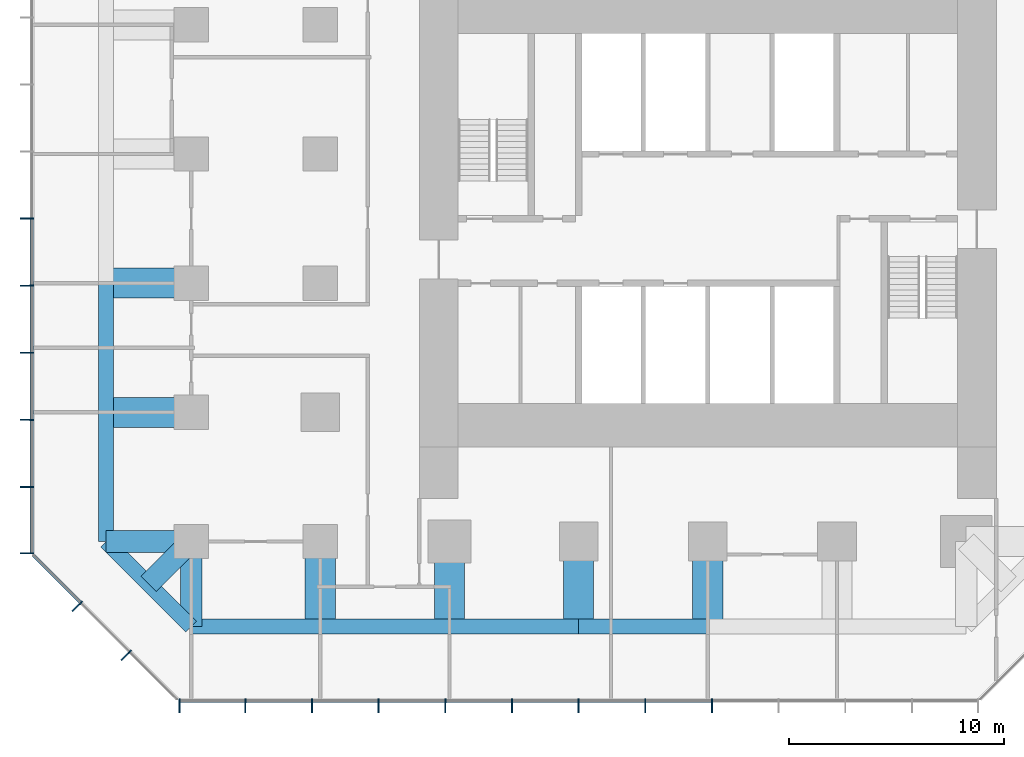
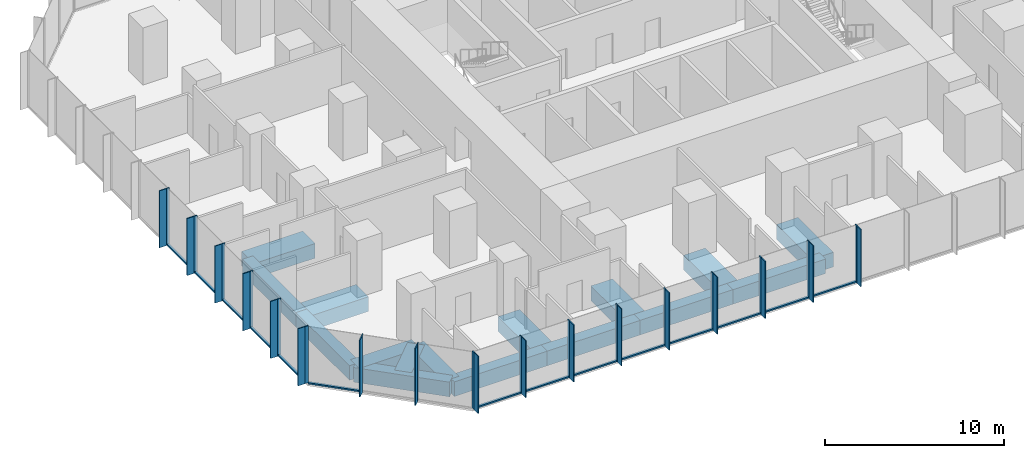
# One storey, part 2 of 11: 48 members, 16 beams, 3 elements without a shape of their own.
"""IFC4 building model written with IfcOpenShell, lengths in metres."""

from ifc_helpers import new_model, si_unit, direction, frame, origin, origin_2d, place, context, subcontext, project, spatial, rectangle, extrude, material, layer, layer_set, material_profile, profile_set, type_object, element, aggregate, save


model = new_model("IFC4")

# Units and contexts
model_context = context("Model", 3, precision=1e-05, world=origin(), true_north=direction((0.0, 1.0)))
body_context = subcontext(model_context, "Body", "Model", "MODEL_VIEW")
ifc_project = project(units=[si_unit("LENGTHUNIT", "METRE"), si_unit("AREAUNIT", "SQUARE_METRE"), si_unit("VOLUMEUNIT", "CUBIC_METRE"), si_unit("PLANEANGLEUNIT", "RADIAN"), si_unit("MASSUNIT", "GRAM", prefix="KILO")], contexts=[model_context])

# Site, building, storey
site_placement = place(None, origin())
site = spatial("IfcSite", under=ifc_project, at=site_placement, CompositionType="ELEMENT")
building_placement = place(site_placement, origin())
building = spatial("IfcBuilding", under=site, at=building_placement, Name="Highveld Stack Headquarters", CompositionType="ELEMENT")
storey_placement = place(building_placement, frame((0.0, 0.0, 121.10009765625)))
storey = spatial("IfcBuildingStorey", under=building, at=storey_placement, Name="L29", CompositionType="ELEMENT", Elevation=121.10009765625)

# Beams
ifc_material_1 = material(Name="Concrete C60/75", Category="concrete")
ifc_material_profile_1 = material_profile(ifc_material_1, rectangle(XDim=1.0, YDim=1.0, at=origin_2d()), Name="RC 1000x1000")
ifc_profile_set_1 = profile_set([ifc_material_profile_1], Name="Concrete C60/75")
beam_type_1 = type_object("IfcBeamType", Name="CANTILEVER RIB RC 1000x1000", PredefinedType="USERDEFINED", material=ifc_profile_set_1)
for number, where, z_axis, x_axis, name in (
    (1, (-18.0, -12.0, -0.75), (-1.0, 0.0, 0.0), (0.0, -1.0, 0.0), "Cantilever rib 3/C L29"),
    (2, (-18.0, -12.0, -0.75), (0.0, -1.0, 0.0), (1.0, 0.0, 0.0), "Cantilever rib 3/C L29"),
):
    element("IfcBeam", number, at=place(storey_placement, frame(where, z_axis=z_axis, x_axis=x_axis)), inside=storey, type_object=beam_type_1, Name=name, ObjectType="CANTILEVER RIB", PredefinedType="USERDEFINED", context=body_context, shape_type="SweptSolid", body=[
        extrude(rectangle(XDim=1.0, YDim=1.0, at=origin_2d()), origin(), (0.0, 0.0, 1.0), 3.949951171875),
    ])
beam_1_placement = place(storey_placement, frame((-18.0, -12.0, -0.75), z_axis=(-0.707106781187, -0.707106781187, 0.0), x_axis=(0.707106781187, -0.707106781187, 0.0)))
element("IfcBeam", 3, at=beam_1_placement, inside=storey, type_object=beam_type_1, Name="Cantilever rib 3/C L29", ObjectType="CANTILEVER RIB", PredefinedType="USERDEFINED", context=body_context, shape_type="SweptSolid", body=[
    extrude(rectangle(XDim=1.0, YDim=1.0, at=origin_2d()), origin(), (0.0, 0.0, 1.0), 2.793212890625),
])
ifc_material_2 = material(Name="Concrete C60/75", Category="concrete")
ifc_material_profile_2 = material_profile(ifc_material_2, rectangle(XDim=1.39990234375, YDim=1.0, at=origin_2d()), Name="RC 1400x1000")
ifc_profile_set_2 = profile_set([ifc_material_profile_2], Name="Concrete C60/75")
beam_type_2 = type_object("IfcBeamType", Name="CANTILEVER RIB RC 1400x1000", PredefinedType="USERDEFINED", material=ifc_profile_set_2)
for number, where, z_axis, x_axis, name in (
    (4, (-18.0, -6.0, -0.75), (-1.0, 0.0, 0.0), (0.0, -1.0, 0.0), "Cantilever rib 3/D L29"),
    (5, (-18.0, 0.0, -0.75), (-1.0, 0.0, 0.0), (0.0, -1.0, 0.0), "Cantilever rib 3/E L29"),
    (6, (-12.0, -12.0, -0.75), (0.0, -1.0, 0.0), (1.0, 0.0, 0.0), "Cantilever rib 4/C L29"),
    (7, (-6.0, -12.0, -0.75), (0.0, -1.0, 0.0), (1.0, 0.0, 0.0), "Cantilever rib 5/C L29"),
    (8, (0.0, -12.0, -0.75), (0.0, -1.0, 0.0), (1.0, 0.0, 0.0), "Cantilever rib 6/C L29"),
    (9, (6.0, -12.0, -0.75), (0.0, -1.0, 0.0), (1.0, 0.0, 0.0), "Cantilever rib 7/C L29"),
):
    element("IfcBeam", number, at=place(storey_placement, frame(where, z_axis=z_axis, x_axis=x_axis)), inside=storey, type_object=beam_type_2, Name=name, ObjectType="CANTILEVER RIB", PredefinedType="USERDEFINED", context=body_context, shape_type="SweptSolid", body=[
        extrude(rectangle(XDim=1.39990234375, YDim=1.0, at=origin_2d()), origin(), (0.0, 0.0, 1.0), 3.949951171875),
    ])

# Curtain wall, members
ifc_material_3 = material(Name="Aluminium bronze anodised", Category="aluminium")
ifc_layer_1 = layer(ifc_material_3, 0.199951171875)
ifc_layer_set_1 = layer_set([ifc_layer_1], Name="Aluminium bronze anodised")
curtain_wall_type_1 = type_object("IfcCurtainWallType", Name="CW1 TOWER UNITISED CURTAIN WALL", PredefinedType="NOTDEFINED", material=ifc_layer_set_1)
curtain_wall_1_placement = place(storey_placement, origin())
curtain_wall_1 = element("IfcCurtainWall", 10, at=curtain_wall_1_placement, inside=storey, type_object=curtain_wall_type_1, Name="Curtain wall CW1 L29 S", PredefinedType="NOTDEFINED")
ifc_material_4 = material(Name="Aluminium bronze anodised", Category="aluminium")
ifc_material_profile_3 = material_profile(ifc_material_4, rectangle(XDim=0.449951171875, YDim=0.06005859375, at=origin_2d()), Name="FIN 450x60")
ifc_profile_set_3 = profile_set([ifc_material_profile_3], Name="Aluminium bronze anodised")
member_type_1 = type_object("IfcMemberType", Name="CW1 BRONZE FIN 450x60", PredefinedType="USERDEFINED", material=ifc_profile_set_3)
member_1_placement = place(storey_placement, frame((-18.54736328125, -19.72509765625, 0.0), z_axis=(0.0, 0.0, 1.0), x_axis=(0.0, 1.0, 0.0)))
member_1 = element("IfcMember", 11, at=member_1_placement, type_object=member_type_1, Name="CW1 fin L29 1", ObjectType="FIN", PredefinedType="USERDEFINED", context=body_context, shape_type="SweptSolid", body=[
    extrude(rectangle(XDim=0.449951171875, YDim=0.06005859375, at=origin_2d()), origin(), (0.0, 0.0, 1.0), 3.89990234375),
])
member_2_placement = place(storey_placement, frame((-15.483154296875, -19.72509765625, 0.0), z_axis=(0.0, 0.0, 1.0), x_axis=(0.0, 1.0, 0.0)))
member_2 = element("IfcMember", 12, at=member_2_placement, type_object=member_type_1, Name="CW1 fin L29 2", ObjectType="FIN", PredefinedType="USERDEFINED", context=body_context, shape_type="SweptSolid", body=[
    extrude(rectangle(XDim=0.449951171875, YDim=0.06005859375, at=origin_2d()), origin(), (0.0, 0.0, 1.0), 3.89990234375),
])
member_3_placement = place(storey_placement, frame((-12.38671875, -19.72509765625, 0.0), z_axis=(0.0, 0.0, 1.0), x_axis=(0.0, 1.0, 0.0)))
member_3 = element("IfcMember", 13, at=member_3_placement, type_object=member_type_1, Name="CW1 fin L29 3", ObjectType="FIN", PredefinedType="USERDEFINED", context=body_context, shape_type="SweptSolid", body=[
    extrude(rectangle(XDim=0.449951171875, YDim=0.06005859375, at=origin_2d()), origin(), (0.0, 0.0, 1.0), 3.89990234375),
])
member_4_placement = place(storey_placement, frame((-9.289794921875, -19.72509765625, 0.0), z_axis=(0.0, 0.0, 1.0), x_axis=(0.0, 1.0, 0.0)))
member_4 = element("IfcMember", 14, at=member_4_placement, type_object=member_type_1, Name="CW1 fin L29 4", ObjectType="FIN", PredefinedType="USERDEFINED", context=body_context, shape_type="SweptSolid", body=[
    extrude(rectangle(XDim=0.449951171875, YDim=0.06005859375, at=origin_2d()), origin(), (0.0, 0.0, 1.0), 3.89990234375),
])
member_5_placement = place(storey_placement, frame((-6.193359375, -19.72509765625, 0.0), z_axis=(0.0, 0.0, 1.0), x_axis=(0.0, 1.0, 0.0)))
member_5 = element("IfcMember", 15, at=member_5_placement, type_object=member_type_1, Name="CW1 fin L29 5", ObjectType="FIN", PredefinedType="USERDEFINED", context=body_context, shape_type="SweptSolid", body=[
    extrude(rectangle(XDim=0.449951171875, YDim=0.06005859375, at=origin_2d()), origin(), (0.0, 0.0, 1.0), 3.89990234375),
])
member_6_placement = place(storey_placement, frame((-3.0966796875, -19.72509765625, 0.0), z_axis=(0.0, 0.0, 1.0), x_axis=(0.0, 1.0, 0.0)))
member_6 = element("IfcMember", 16, at=member_6_placement, type_object=member_type_1, Name="CW1 fin L29 6", ObjectType="FIN", PredefinedType="USERDEFINED", context=body_context, shape_type="SweptSolid", body=[
    extrude(rectangle(XDim=0.449951171875, YDim=0.06005859375, at=origin_2d()), origin(), (0.0, 0.0, 1.0), 3.89990234375),
])
member_7_placement = place(storey_placement, frame((0.0, -19.72509765625, 0.0), z_axis=(0.0, 0.0, 1.0), x_axis=(0.0, 1.0, 0.0)))
member_7 = element("IfcMember", 17, at=member_7_placement, type_object=member_type_1, Name="CW1 fin L29 7", ObjectType="FIN", PredefinedType="USERDEFINED", context=body_context, shape_type="SweptSolid", body=[
    extrude(rectangle(XDim=0.449951171875, YDim=0.06005859375, at=origin_2d()), origin(), (0.0, 0.0, 1.0), 3.89990234375),
])
member_8_placement = place(storey_placement, frame((3.0966796875, -19.72509765625, 0.0), z_axis=(0.0, 0.0, 1.0), x_axis=(0.0, 1.0, 0.0)))
member_8 = element("IfcMember", 18, at=member_8_placement, type_object=member_type_1, Name="CW1 fin L29 8", ObjectType="FIN", PredefinedType="USERDEFINED", context=body_context, shape_type="SweptSolid", body=[
    extrude(rectangle(XDim=0.449951171875, YDim=0.06005859375, at=origin_2d()), origin(), (0.0, 0.0, 1.0), 3.89990234375),
])
member_9_placement = place(storey_placement, frame((6.193359375, -19.72509765625, 0.0), z_axis=(0.0, 0.0, 1.0), x_axis=(0.0, 1.0, 0.0)))
member_9 = element("IfcMember", 19, at=member_9_placement, type_object=member_type_1, Name="CW1 fin L29 9", ObjectType="FIN", PredefinedType="USERDEFINED", context=body_context, shape_type="SweptSolid", body=[
    extrude(rectangle(XDim=0.449951171875, YDim=0.06005859375, at=origin_2d()), origin(), (0.0, 0.0, 1.0), 3.89990234375),
])

curtain_wall_2_placement = place(storey_placement, origin())
curtain_wall_2 = element("IfcCurtainWall", 20, at=curtain_wall_2_placement, inside=storey, type_object=curtain_wall_type_1, Name="Curtain wall CW1 L29 W", PredefinedType="NOTDEFINED")
member_10_placement = place(storey_placement, frame((-25.72509765625, 3.0, 0.0), z_axis=(0.0, 0.0, 1.0), x_axis=(1.0, 0.0, 0.0)))
member_10 = element("IfcMember", 21, at=member_10_placement, type_object=member_type_1, Name="CW1 fin L29 6", ObjectType="FIN", PredefinedType="USERDEFINED", context=body_context, shape_type="SweptSolid", body=[
    extrude(rectangle(XDim=0.449951171875, YDim=0.06005859375, at=origin_2d()), origin(), (0.0, 0.0, 1.0), 3.89990234375),
])
member_11_placement = place(storey_placement, frame((-25.72509765625, -0.115966796875, 0.0), z_axis=(0.0, 0.0, 1.0), x_axis=(1.0, 0.0, 0.0)))
member_11 = element("IfcMember", 22, at=member_11_placement, type_object=member_type_1, Name="CW1 fin L29 7", ObjectType="FIN", PredefinedType="USERDEFINED", context=body_context, shape_type="SweptSolid", body=[
    extrude(rectangle(XDim=0.449951171875, YDim=0.06005859375, at=origin_2d()), origin(), (0.0, 0.0, 1.0), 3.89990234375),
])
member_12_placement = place(storey_placement, frame((-25.72509765625, -3.23193359375, 0.0), z_axis=(0.0, 0.0, 1.0), x_axis=(1.0, 0.0, 0.0)))
member_12 = element("IfcMember", 23, at=member_12_placement, type_object=member_type_1, Name="CW1 fin L29 8", ObjectType="FIN", PredefinedType="USERDEFINED", context=body_context, shape_type="SweptSolid", body=[
    extrude(rectangle(XDim=0.449951171875, YDim=0.06005859375, at=origin_2d()), origin(), (0.0, 0.0, 1.0), 3.89990234375),
])
member_13_placement = place(storey_placement, frame((-25.72509765625, -6.347900390625, 0.0), z_axis=(0.0, 0.0, 1.0), x_axis=(1.0, 0.0, 0.0)))
member_13 = element("IfcMember", 24, at=member_13_placement, type_object=member_type_1, Name="CW1 fin L29 9", ObjectType="FIN", PredefinedType="USERDEFINED", context=body_context, shape_type="SweptSolid", body=[
    extrude(rectangle(XDim=0.449951171875, YDim=0.06005859375, at=origin_2d()), origin(), (0.0, 0.0, 1.0), 3.89990234375),
])
member_14_placement = place(storey_placement, frame((-25.72509765625, -9.4638671875, 0.0), z_axis=(0.0, 0.0, 1.0), x_axis=(1.0, 0.0, 0.0)))
member_14 = element("IfcMember", 25, at=member_14_placement, type_object=member_type_1, Name="CW1 fin L29 10", ObjectType="FIN", PredefinedType="USERDEFINED", context=body_context, shape_type="SweptSolid", body=[
    extrude(rectangle(XDim=0.449951171875, YDim=0.06005859375, at=origin_2d()), origin(), (0.0, 0.0, 1.0), 3.89990234375),
])
member_15_placement = place(storey_placement, frame((-25.72509765625, -12.54736328125, 0.0), z_axis=(0.0, 0.0, 1.0), x_axis=(1.0, 0.0, 0.0)))
member_15 = element("IfcMember", 26, at=member_15_placement, type_object=member_type_1, Name="CW1 fin L29 11", ObjectType="FIN", PredefinedType="USERDEFINED", context=body_context, shape_type="SweptSolid", body=[
    extrude(rectangle(XDim=0.449951171875, YDim=0.06005859375, at=origin_2d()), origin(), (0.0, 0.0, 1.0), 3.89990234375),
])

# Member
ifc_material_5 = material(Name="Aluminium bronze anodised", Category="aluminium")
ifc_material_profile_4 = material_profile(ifc_material_5, rectangle(XDim=0.199951171875, YDim=0.06494140625, at=origin_2d()), Name="CW1 MULLION 65x200")
ifc_profile_set_4 = profile_set([ifc_material_profile_4], Name="Aluminium bronze anodised")
member_type_2 = type_object("IfcMemberType", Name="CW1 MULLION 65x200", PredefinedType="MULLION", material=ifc_profile_set_4)
member_16_placement = place(storey_placement, frame((-18.54736328125, -19.39990234375, 0.0), z_axis=(0.0, 0.0, 1.0), x_axis=(0.0, 1.0, 0.0)))
member_16 = element("IfcMember", 27, at=member_16_placement, type_object=member_type_2, Name="CW1 mullion L29 1", PredefinedType="MULLION", context=body_context, shape_type="SweptSolid", body=[
    extrude(rectangle(XDim=0.199951171875, YDim=0.06494140625, at=origin_2d()), origin(), (0.0, 0.0, 1.0), 3.89990234375),
])

member_17_placement = place(storey_placement, frame((-15.483154296875, -19.39990234375, 0.0), z_axis=(0.0, 0.0, 1.0), x_axis=(0.0, 1.0, 0.0)))
member_17 = element("IfcMember", 28, at=member_17_placement, type_object=member_type_2, Name="CW1 mullion L29 2", PredefinedType="MULLION", context=body_context, shape_type="SweptSolid", body=[
    extrude(rectangle(XDim=0.199951171875, YDim=0.06494140625, at=origin_2d()), origin(), (0.0, 0.0, 1.0), 3.89990234375),
])

member_18_placement = place(storey_placement, frame((-12.38671875, -19.39990234375, 0.0), z_axis=(0.0, 0.0, 1.0), x_axis=(0.0, 1.0, 0.0)))
member_18 = element("IfcMember", 29, at=member_18_placement, type_object=member_type_2, Name="CW1 mullion L29 3", PredefinedType="MULLION", context=body_context, shape_type="SweptSolid", body=[
    extrude(rectangle(XDim=0.199951171875, YDim=0.06494140625, at=origin_2d()), origin(), (0.0, 0.0, 1.0), 3.89990234375),
])

member_19_placement = place(storey_placement, frame((-9.289794921875, -19.39990234375, 0.0), z_axis=(0.0, 0.0, 1.0), x_axis=(0.0, 1.0, 0.0)))
member_19 = element("IfcMember", 30, at=member_19_placement, type_object=member_type_2, Name="CW1 mullion L29 4", PredefinedType="MULLION", context=body_context, shape_type="SweptSolid", body=[
    extrude(rectangle(XDim=0.199951171875, YDim=0.06494140625, at=origin_2d()), origin(), (0.0, 0.0, 1.0), 3.89990234375),
])

member_20_placement = place(storey_placement, frame((-6.193359375, -19.39990234375, 0.0), z_axis=(0.0, 0.0, 1.0), x_axis=(0.0, 1.0, 0.0)))
member_20 = element("IfcMember", 31, at=member_20_placement, type_object=member_type_2, Name="CW1 mullion L29 5", PredefinedType="MULLION", context=body_context, shape_type="SweptSolid", body=[
    extrude(rectangle(XDim=0.199951171875, YDim=0.06494140625, at=origin_2d()), origin(), (0.0, 0.0, 1.0), 3.89990234375),
])

member_21_placement = place(storey_placement, frame((-3.0966796875, -19.39990234375, 0.0), z_axis=(0.0, 0.0, 1.0), x_axis=(0.0, 1.0, 0.0)))
member_21 = element("IfcMember", 32, at=member_21_placement, type_object=member_type_2, Name="CW1 mullion L29 6", PredefinedType="MULLION", context=body_context, shape_type="SweptSolid", body=[
    extrude(rectangle(XDim=0.199951171875, YDim=0.06494140625, at=origin_2d()), origin(), (0.0, 0.0, 1.0), 3.89990234375),
])

member_22_placement = place(storey_placement, frame((0.0, -19.39990234375, 0.0), z_axis=(0.0, 0.0, 1.0), x_axis=(0.0, 1.0, 0.0)))
member_22 = element("IfcMember", 33, at=member_22_placement, type_object=member_type_2, Name="CW1 mullion L29 7", PredefinedType="MULLION", context=body_context, shape_type="SweptSolid", body=[
    extrude(rectangle(XDim=0.199951171875, YDim=0.06494140625, at=origin_2d()), origin(), (0.0, 0.0, 1.0), 3.89990234375),
])

member_23_placement = place(storey_placement, frame((3.0966796875, -19.39990234375, 0.0), z_axis=(0.0, 0.0, 1.0), x_axis=(0.0, 1.0, 0.0)))
member_23 = element("IfcMember", 34, at=member_23_placement, type_object=member_type_2, Name="CW1 mullion L29 8", PredefinedType="MULLION", context=body_context, shape_type="SweptSolid", body=[
    extrude(rectangle(XDim=0.199951171875, YDim=0.06494140625, at=origin_2d()), origin(), (0.0, 0.0, 1.0), 3.89990234375),
])

member_24_placement = place(storey_placement, frame((6.193359375, -19.39990234375, 0.0), z_axis=(0.0, 0.0, 1.0), x_axis=(0.0, 1.0, 0.0)))
member_24 = element("IfcMember", 35, at=member_24_placement, type_object=member_type_2, Name="CW1 mullion L29 9", PredefinedType="MULLION", context=body_context, shape_type="SweptSolid", body=[
    extrude(rectangle(XDim=0.199951171875, YDim=0.06494140625, at=origin_2d()), origin(), (0.0, 0.0, 1.0), 3.89990234375),
])

member_25_placement = place(storey_placement, frame((-25.39990234375, 3.0, 0.0), z_axis=(0.0, 0.0, 1.0), x_axis=(1.0, 0.0, 0.0)))
member_25 = element("IfcMember", 36, at=member_25_placement, type_object=member_type_2, Name="CW1 mullion L29 6", PredefinedType="MULLION", context=body_context, shape_type="SweptSolid", body=[
    extrude(rectangle(XDim=0.199951171875, YDim=0.06494140625, at=origin_2d()), origin(), (0.0, 0.0, 1.0), 3.89990234375),
])

member_26_placement = place(storey_placement, frame((-25.39990234375, -0.115966796875, 0.0), z_axis=(0.0, 0.0, 1.0), x_axis=(1.0, 0.0, 0.0)))
member_26 = element("IfcMember", 37, at=member_26_placement, type_object=member_type_2, Name="CW1 mullion L29 7", PredefinedType="MULLION", context=body_context, shape_type="SweptSolid", body=[
    extrude(rectangle(XDim=0.199951171875, YDim=0.06494140625, at=origin_2d()), origin(), (0.0, 0.0, 1.0), 3.89990234375),
])

member_27_placement = place(storey_placement, frame((-25.39990234375, -3.23193359375, 0.0), z_axis=(0.0, 0.0, 1.0), x_axis=(1.0, 0.0, 0.0)))
member_27 = element("IfcMember", 38, at=member_27_placement, type_object=member_type_2, Name="CW1 mullion L29 8", PredefinedType="MULLION", context=body_context, shape_type="SweptSolid", body=[
    extrude(rectangle(XDim=0.199951171875, YDim=0.06494140625, at=origin_2d()), origin(), (0.0, 0.0, 1.0), 3.89990234375),
])

member_28_placement = place(storey_placement, frame((-25.39990234375, -6.347900390625, 0.0), z_axis=(0.0, 0.0, 1.0), x_axis=(1.0, 0.0, 0.0)))
member_28 = element("IfcMember", 39, at=member_28_placement, type_object=member_type_2, Name="CW1 mullion L29 9", PredefinedType="MULLION", context=body_context, shape_type="SweptSolid", body=[
    extrude(rectangle(XDim=0.199951171875, YDim=0.06494140625, at=origin_2d()), origin(), (0.0, 0.0, 1.0), 3.89990234375),
])

member_29_placement = place(storey_placement, frame((-25.39990234375, -9.4638671875, 0.0), z_axis=(0.0, 0.0, 1.0), x_axis=(1.0, 0.0, 0.0)))
member_29 = element("IfcMember", 40, at=member_29_placement, type_object=member_type_2, Name="CW1 mullion L29 10", PredefinedType="MULLION", context=body_context, shape_type="SweptSolid", body=[
    extrude(rectangle(XDim=0.199951171875, YDim=0.06494140625, at=origin_2d()), origin(), (0.0, 0.0, 1.0), 3.89990234375),
])

member_30_placement = place(storey_placement, frame((-25.39990234375, -12.54736328125, 0.0), z_axis=(0.0, 0.0, 1.0), x_axis=(1.0, 0.0, 0.0)))
member_30 = element("IfcMember", 41, at=member_30_placement, type_object=member_type_2, Name="CW1 mullion L29 11", PredefinedType="MULLION", context=body_context, shape_type="SweptSolid", body=[
    extrude(rectangle(XDim=0.199951171875, YDim=0.06494140625, at=origin_2d()), origin(), (0.0, 0.0, 1.0), 3.89990234375),
])

ifc_material_6 = material(Name="Aluminium bronze anodised", Category="aluminium")
ifc_material_profile_5 = material_profile(ifc_material_6, rectangle(XDim=0.14990234375, YDim=0.10009765625, at=origin_2d()), Name="CW1 TRANSOM 150x100")
ifc_profile_set_5 = profile_set([ifc_material_profile_5], Name="Aluminium bronze anodised")
member_type_3 = type_object("IfcMemberType", Name="CW1 STACK TRANSOM 150x100", PredefinedType="USERDEFINED", material=ifc_profile_set_5)
member_31_placement = place(storey_placement, frame((-18.514892578125, -19.39990234375, 0.0498046875), z_axis=(1.0, 0.0, 0.0), x_axis=(0.0, 1.0, 0.0)))
member_31 = element("IfcMember", 42, at=member_31_placement, type_object=member_type_3, Name="CW1 transom L29 1.1", ObjectType="TRANSOM", PredefinedType="USERDEFINED", context=body_context, shape_type="SweptSolid", body=[
    extrude(rectangle(XDim=0.14990234375, YDim=0.10009765625, at=origin_2d()), origin(), (0.0, 0.0, 1.0), 2.999267578125),
])

member_32_placement = place(storey_placement, frame((-15.45068359375, -19.39990234375, 0.0498046875), z_axis=(1.0, 0.0, 0.0), x_axis=(0.0, 1.0, 0.0)))
member_32 = element("IfcMember", 43, at=member_32_placement, type_object=member_type_3, Name="CW1 transom L29 2.1", ObjectType="TRANSOM", PredefinedType="USERDEFINED", context=body_context, shape_type="SweptSolid", body=[
    extrude(rectangle(XDim=0.14990234375, YDim=0.10009765625, at=origin_2d()), origin(), (0.0, 0.0, 1.0), 3.031494140625),
])

member_33_placement = place(storey_placement, frame((-12.35400390625, -19.39990234375, 0.0498046875), z_axis=(1.0, 0.0, 0.0), x_axis=(0.0, 1.0, 0.0)))
member_33 = element("IfcMember", 44, at=member_33_placement, type_object=member_type_3, Name="CW1 transom L29 3.1", ObjectType="TRANSOM", PredefinedType="USERDEFINED", context=body_context, shape_type="SweptSolid", body=[
    extrude(rectangle(XDim=0.14990234375, YDim=0.10009765625, at=origin_2d()), origin(), (0.0, 0.0, 1.0), 3.031494140625),
])

member_34_placement = place(storey_placement, frame((-9.25732421875, -19.39990234375, 0.0498046875), z_axis=(1.0, 0.0, 0.0), x_axis=(0.0, 1.0, 0.0)))
member_34 = element("IfcMember", 45, at=member_34_placement, type_object=member_type_3, Name="CW1 transom L29 4.1", ObjectType="TRANSOM", PredefinedType="USERDEFINED", context=body_context, shape_type="SweptSolid", body=[
    extrude(rectangle(XDim=0.14990234375, YDim=0.10009765625, at=origin_2d()), origin(), (0.0, 0.0, 1.0), 3.031494140625),
])

member_35_placement = place(storey_placement, frame((-6.160888671875, -19.39990234375, 0.0498046875), z_axis=(1.0, 0.0, 0.0), x_axis=(0.0, 1.0, 0.0)))
member_35 = element("IfcMember", 46, at=member_35_placement, type_object=member_type_3, Name="CW1 transom L29 5.1", ObjectType="TRANSOM", PredefinedType="USERDEFINED", context=body_context, shape_type="SweptSolid", body=[
    extrude(rectangle(XDim=0.14990234375, YDim=0.10009765625, at=origin_2d()), origin(), (0.0, 0.0, 1.0), 3.03173828125),
])

member_36_placement = place(storey_placement, frame((-3.064208984375, -19.39990234375, 0.0498046875), z_axis=(1.0, 0.0, 0.0), x_axis=(0.0, 1.0, 0.0)))
member_36 = element("IfcMember", 47, at=member_36_placement, type_object=member_type_3, Name="CW1 transom L29 6.1", ObjectType="TRANSOM", PredefinedType="USERDEFINED", context=body_context, shape_type="SweptSolid", body=[
    extrude(rectangle(XDim=0.14990234375, YDim=0.10009765625, at=origin_2d()), origin(), (0.0, 0.0, 1.0), 3.03173828125),
])

member_37_placement = place(storey_placement, frame((0.032470703125, -19.39990234375, 0.0498046875), z_axis=(1.0, 0.0, 0.0), x_axis=(0.0, 1.0, 0.0)))
member_37 = element("IfcMember", 48, at=member_37_placement, type_object=member_type_3, Name="CW1 transom L29 7.1", ObjectType="TRANSOM", PredefinedType="USERDEFINED", context=body_context, shape_type="SweptSolid", body=[
    extrude(rectangle(XDim=0.14990234375, YDim=0.10009765625, at=origin_2d()), origin(), (0.0, 0.0, 1.0), 3.03173828125),
])

member_38_placement = place(storey_placement, frame((3.129150390625, -19.39990234375, 0.0498046875), z_axis=(1.0, 0.0, 0.0), x_axis=(0.0, 1.0, 0.0)))
member_38 = element("IfcMember", 49, at=member_38_placement, type_object=member_type_3, Name="CW1 transom L29 8.1", ObjectType="TRANSOM", PredefinedType="USERDEFINED", context=body_context, shape_type="SweptSolid", body=[
    extrude(rectangle(XDim=0.14990234375, YDim=0.10009765625, at=origin_2d()), origin(), (0.0, 0.0, 1.0), 3.03173828125),
])

aggregate(curtain_wall_1, [member_16, member_1, member_17, member_2, member_18, member_3, member_19, member_4, member_20, member_5, member_21, member_6, member_22, member_7, member_23, member_8, member_24, member_9, member_31, member_32, member_33, member_34, member_35, member_36, member_37, member_38])

member_39_placement = place(storey_placement, frame((-25.39990234375, 2.967529296875, 0.0498046875), z_axis=(0.0, -1.0, 0.0), x_axis=(1.0, 0.0, 0.0)))
member_39 = element("IfcMember", 50, at=member_39_placement, type_object=member_type_3, Name="CW1 transom L29 6.1", ObjectType="TRANSOM", PredefinedType="USERDEFINED", context=body_context, shape_type="SweptSolid", body=[
    extrude(rectangle(XDim=0.14990234375, YDim=0.10009765625, at=origin_2d()), origin(), (0.0, 0.0, 1.0), 3.051025390625),
])

member_40_placement = place(storey_placement, frame((-25.39990234375, -0.1484375, 0.0498046875), z_axis=(0.0, -1.0, 0.0), x_axis=(1.0, 0.0, 0.0)))
member_40 = element("IfcMember", 51, at=member_40_placement, type_object=member_type_3, Name="CW1 transom L29 7.1", ObjectType="TRANSOM", PredefinedType="USERDEFINED", context=body_context, shape_type="SweptSolid", body=[
    extrude(rectangle(XDim=0.14990234375, YDim=0.10009765625, at=origin_2d()), origin(), (0.0, 0.0, 1.0), 3.051025390625),
])

member_41_placement = place(storey_placement, frame((-25.39990234375, -3.264404296875, 0.0498046875), z_axis=(0.0, -1.0, 0.0), x_axis=(1.0, 0.0, 0.0)))
member_41 = element("IfcMember", 52, at=member_41_placement, type_object=member_type_3, Name="CW1 transom L29 8.1", ObjectType="TRANSOM", PredefinedType="USERDEFINED", context=body_context, shape_type="SweptSolid", body=[
    extrude(rectangle(XDim=0.14990234375, YDim=0.10009765625, at=origin_2d()), origin(), (0.0, 0.0, 1.0), 3.051025390625),
])

member_42_placement = place(storey_placement, frame((-25.39990234375, -6.38037109375, 0.0498046875), z_axis=(0.0, -1.0, 0.0), x_axis=(1.0, 0.0, 0.0)))
member_42 = element("IfcMember", 53, at=member_42_placement, type_object=member_type_3, Name="CW1 transom L29 9.1", ObjectType="TRANSOM", PredefinedType="USERDEFINED", context=body_context, shape_type="SweptSolid", body=[
    extrude(rectangle(XDim=0.14990234375, YDim=0.10009765625, at=origin_2d()), origin(), (0.0, 0.0, 1.0), 3.051025390625),
])

member_43_placement = place(storey_placement, frame((-25.39990234375, -9.496337890625, 0.0498046875), z_axis=(0.0, -1.0, 0.0), x_axis=(1.0, 0.0, 0.0)))
member_43 = element("IfcMember", 54, at=member_43_placement, type_object=member_type_3, Name="CW1 transom L29 10.1", ObjectType="TRANSOM", PredefinedType="USERDEFINED", context=body_context, shape_type="SweptSolid", body=[
    extrude(rectangle(XDim=0.14990234375, YDim=0.10009765625, at=origin_2d()), origin(), (0.0, 0.0, 1.0), 3.0185546875),
])

aggregate(curtain_wall_2, [member_25, member_10, member_26, member_11, member_27, member_12, member_28, member_13, member_29, member_14, member_30, member_15, member_39, member_40, member_41, member_42, member_43])

# Curtain wall, members
ifc_material_7 = material(Name="Aluminium bronze anodised", Category="aluminium")
ifc_layer_2 = layer(ifc_material_7, 0.199951171875)
ifc_layer_set_2 = layer_set([ifc_layer_2], Name="Aluminium bronze anodised")
curtain_wall_type_2 = type_object("IfcCurtainWallType", Name="CW2 TOWER CHAMFER UNITISED CURTAIN WALL", PredefinedType="NOTDEFINED", material=ifc_layer_set_2)
curtain_wall_3_placement = place(storey_placement, origin())
curtain_wall_3 = element("IfcCurtainWall", 55, at=curtain_wall_3_placement, inside=storey, type_object=curtain_wall_type_2, Name="Curtain wall CW2 L29 SW", PredefinedType="NOTDEFINED")
ifc_material_8 = material(Name="Aluminium bronze anodised", Category="aluminium")
ifc_material_profile_6 = material_profile(ifc_material_8, rectangle(XDim=0.449951171875, YDim=0.06005859375, at=origin_2d()), Name="FIN 450x60")
ifc_profile_set_6 = profile_set([ifc_material_profile_6], Name="Aluminium bronze anodised")
member_type_4 = type_object("IfcMemberType", Name="CW2 BRONZE FIN 450x60", PredefinedType="USERDEFINED", material=ifc_profile_set_6)
member_44_placement = place(storey_placement, frame((-23.3564453125, -15.0830078125, 0.0), z_axis=(0.0, 0.0, 1.0), x_axis=(0.707106781187, 0.707106781187, 0.0)))
member_44 = element("IfcMember", 56, at=member_44_placement, type_object=member_type_4, Name="CW2 fin L29 1", ObjectType="FIN", PredefinedType="USERDEFINED", context=body_context, shape_type="SweptSolid", body=[
    extrude(rectangle(XDim=0.449951171875, YDim=0.06005859375, at=origin_2d()), origin(), (0.0, 0.0, 1.0), 3.89990234375),
])
member_45_placement = place(storey_placement, frame((-21.0830078125, -17.3564453125, 0.0), z_axis=(0.0, 0.0, 1.0), x_axis=(0.707106781187, 0.707106781187, 0.0)))
member_45 = element("IfcMember", 57, at=member_45_placement, type_object=member_type_4, Name="CW2 fin L29 2", ObjectType="FIN", PredefinedType="USERDEFINED", context=body_context, shape_type="SweptSolid", body=[
    extrude(rectangle(XDim=0.449951171875, YDim=0.06005859375, at=origin_2d()), origin(), (0.0, 0.0, 1.0), 3.89990234375),
])
ifc_material_9 = material(Name="Aluminium bronze anodised", Category="aluminium")
ifc_material_profile_7 = material_profile(ifc_material_9, rectangle(XDim=0.199951171875, YDim=0.06494140625, at=origin_2d()), Name="CW2 MULLION 65x200")
ifc_profile_set_7 = profile_set([ifc_material_profile_7], Name="Aluminium bronze anodised")
member_type_5 = type_object("IfcMemberType", Name="CW2 MULLION 65x200", PredefinedType="MULLION", material=ifc_profile_set_7)
member_46_placement = place(storey_placement, frame((-23.126708984375, -14.853271484375, 0.0), z_axis=(0.0, 0.0, 1.0), x_axis=(0.707106781187, 0.707106781187, 0.0)))
member_46 = element("IfcMember", 58, at=member_46_placement, type_object=member_type_5, Name="CW2 mullion L29 1", PredefinedType="MULLION", context=body_context, shape_type="SweptSolid", body=[
    extrude(rectangle(XDim=0.199951171875, YDim=0.06494140625, at=origin_2d()), origin(), (0.0, 0.0, 1.0), 3.89990234375),
])
member_47_placement = place(storey_placement, frame((-20.853271484375, -17.126708984375, 0.0), z_axis=(0.0, 0.0, 1.0), x_axis=(0.707106781187, 0.707106781187, 0.0)))
member_47 = element("IfcMember", 59, at=member_47_placement, type_object=member_type_5, Name="CW2 mullion L29 2", PredefinedType="MULLION", context=body_context, shape_type="SweptSolid", body=[
    extrude(rectangle(XDim=0.199951171875, YDim=0.06494140625, at=origin_2d()), origin(), (0.0, 0.0, 1.0), 3.89990234375),
])
ifc_material_10 = material(Name="Aluminium bronze anodised", Category="aluminium")
ifc_material_profile_8 = material_profile(ifc_material_10, rectangle(XDim=0.14990234375, YDim=0.10009765625, at=origin_2d()), Name="CW2 TRANSOM 150x100")
ifc_profile_set_8 = profile_set([ifc_material_profile_8], Name="Aluminium bronze anodised")
member_type_6 = type_object("IfcMemberType", Name="CW2 STACK TRANSOM 150x100", PredefinedType="USERDEFINED", material=ifc_profile_set_8)
member_48_placement = place(storey_placement, frame((-25.329345703125, -12.650634765625, 0.0498046875), z_axis=(0.707106781187, -0.707106781187, 0.0), x_axis=(0.707106781187, 0.707106781187, 0.0)))
member_48 = element("IfcMember", 60, at=member_48_placement, type_object=member_type_6, Name="CW2 transom L29 1.1", ObjectType="TRANSOM", PredefinedType="USERDEFINED", context=body_context, shape_type="SweptSolid", body=[
    extrude(rectangle(XDim=0.14990234375, YDim=0.10009765625, at=origin_2d()), origin(), (0.0, 0.0, 1.0), 3.08251953125),
])
aggregate(curtain_wall_3, [member_46, member_44, member_47, member_45, member_48])

# Beams
ifc_material_11 = material(Name="Concrete C60/75", Category="concrete")
ifc_material_profile_9 = material_profile(ifc_material_11, rectangle(XDim=0.699951171875, YDim=1.0, at=origin_2d()), Name="RC 700x1000")
ifc_profile_set_9 = profile_set([ifc_material_profile_9], Name="Concrete C60/75")
beam_type_3 = type_object("IfcBeamType", Name="RIB TIP BEAM RC 700x1000", PredefinedType="SPANDREL", material=ifc_profile_set_9)
for number, where, z_axis, x_axis, name in (
    (61, (-21.949951171875, -12.0, -0.75), (0.0, 1.0, 0.0), (-1.0, 0.0, 0.0), "Rib tip beam 3/C to 3/D L29"),
    (62, (-21.949951171875, -6.0, -0.75), (0.0, 1.0, 0.0), (-1.0, 0.0, 0.0), "Rib tip beam 3/D to 3/E L29"),
    (63, (-18.0, -15.949951171875, -0.75), (1.0, 0.0, 0.0), (0.0, 1.0, 0.0), "Rib tip beam 3/C to 4/C L29"),
    (64, (-12.0, -15.949951171875, -0.75), (1.0, 0.0, 0.0), (0.0, 1.0, 0.0), "Rib tip beam 4/C to 5/C L29"),
    (65, (-6.0, -15.949951171875, -0.75), (1.0, 0.0, 0.0), (0.0, 1.0, 0.0), "Rib tip beam 5/C to 6/C L29"),
    (66, (0.0, -15.949951171875, -0.75), (1.0, 0.0, 0.0), (0.0, 1.0, 0.0), "Rib tip beam 6/C to 7/C L29"),
):
    element("IfcBeam", number, at=place(storey_placement, frame(where, z_axis=z_axis, x_axis=x_axis)), inside=storey, type_object=beam_type_3, Name=name, PredefinedType="SPANDREL", context=body_context, shape_type="SweptSolid", body=[
        extrude(rectangle(XDim=0.699951171875, YDim=1.0, at=origin_2d()), origin(), (0.0, 0.0, 1.0), 6.0),
    ])
beam_2_placement = place(storey_placement, frame((-21.949951171875, -12.0, -0.75), z_axis=(0.707106781187, -0.707106781187, 0.0), x_axis=(0.707106781187, 0.707106781187, 0.0)))
element("IfcBeam", 67, at=beam_2_placement, inside=storey, type_object=beam_type_3, Name="Rib tip beam 3/C corner L29", PredefinedType="SPANDREL", context=body_context, shape_type="SweptSolid", body=[
    extrude(rectangle(XDim=0.699951171875, YDim=1.0, at=origin_2d()), origin(), (0.0, 0.0, 1.0), 5.586181640625),
])

save(model, "model.ifc")
